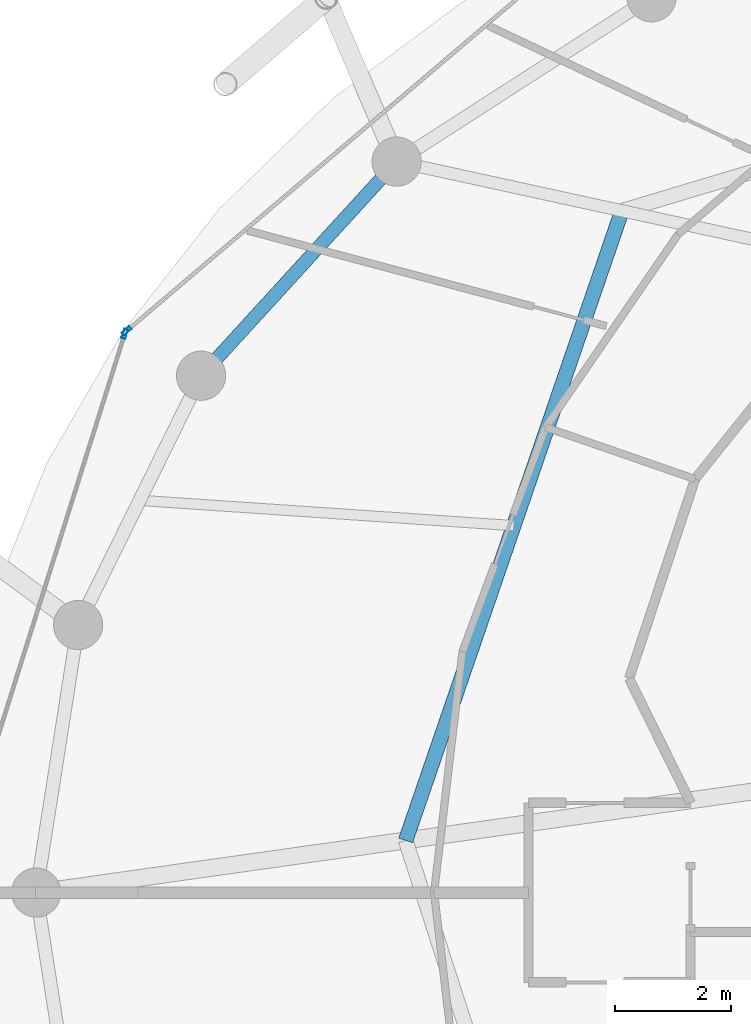
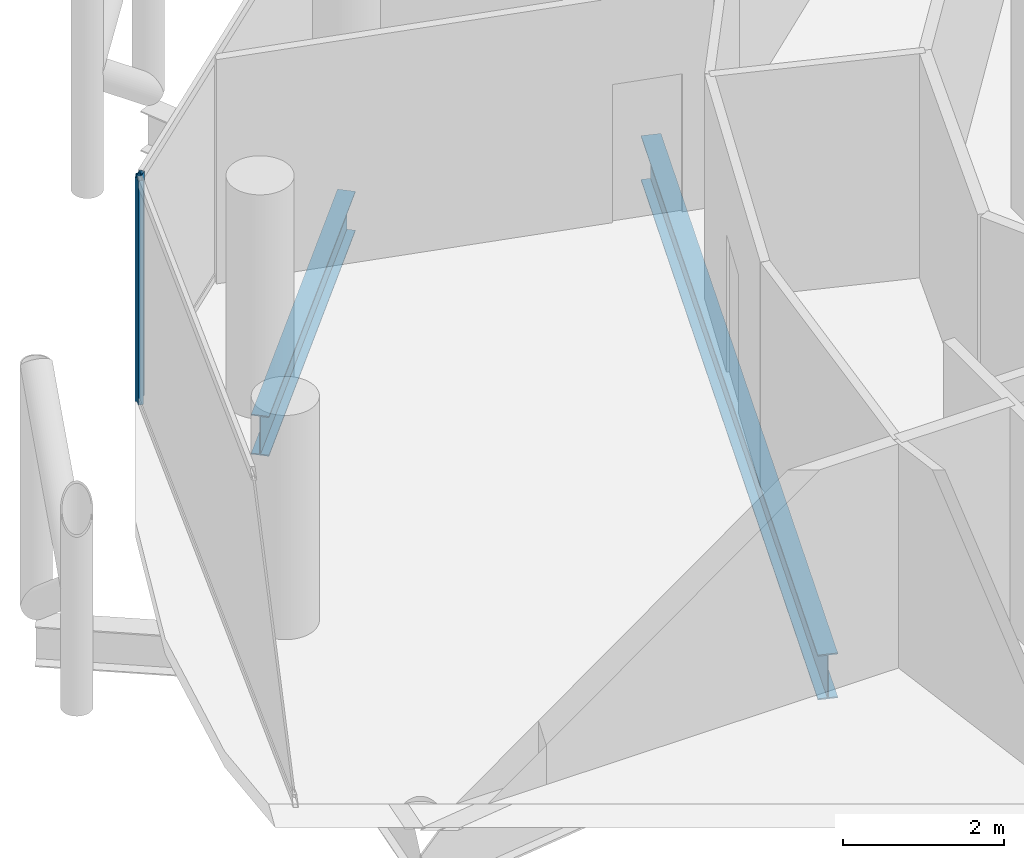
# One storey, part 9 of 27: 2 beams, 2 members, 2 elements without a shape of their own.
"""IFC4 building model written with IfcOpenShell, lengths in metres."""

from ifc_helpers import new_model, si_unit, direction, frame, origin, origin_2d, place, context, subcontext, project, spatial, hollow_rectangle, i_section, extrude, material, layer, layer_set, material_profile, profile_set, type_object, element, aggregate, save


model = new_model("IFC4")

# Units and contexts
model_context = context("Model", 3, precision=1e-05, world=origin(), true_north=direction((0.0, 1.0)))
body_context = subcontext(model_context, "Body", "Model", "MODEL_VIEW")
ifc_project = project(units=[si_unit("LENGTHUNIT", "METRE"), si_unit("AREAUNIT", "SQUARE_METRE"), si_unit("VOLUMEUNIT", "CUBIC_METRE"), si_unit("PLANEANGLEUNIT", "RADIAN"), si_unit("MASSUNIT", "GRAM", prefix="KILO")], contexts=[model_context])

# Site, building, storey
site_placement = place(None, origin())
site = spatial("IfcSite", under=ifc_project, at=site_placement, CompositionType="ELEMENT")
building_placement = place(site_placement, origin())
building = spatial("IfcBuilding", under=site, at=building_placement, Name="Nuhasar Tower", CompositionType="ELEMENT")
storey_placement = place(building_placement, frame((0.0, 0.0, 219.10009765625)))
storey = spatial("IfcBuildingStorey", under=building, at=storey_placement, Name="L53", CompositionType="ELEMENT", Elevation=219.10009765625)

# Beams
ifc_material_1 = material(Name="Steel S355", Category="steel")
ifc_material_profile_1 = material_profile(ifc_material_1, i_section(OverallWidth=0.25390625, OverallDepth=0.68408203125, WebThickness=0.012451171875, FlangeThickness=0.018798828125, at=origin_2d()), Name="W27X94")
ifc_profile_set_1 = profile_set([ifc_material_profile_1], Name="Steel S355")
beam_type_1 = type_object("IfcBeamType", Name="BM-INRING-W27X94", PredefinedType="BEAM", material=ifc_profile_set_1)
beam_1_placement = place(storey_placement, frame((27.864013671875, 38.572998046875, -0.58203125), z_axis=(-0.324809117642, -0.945779592239, 0.0), x_axis=(0.945779592239, -0.324809117642, 0.0)))
element("IfcBeam", 1, at=beam_1_placement, inside=storey, type_object=beam_type_1, Name="L53 Inner Header Beam 07", PredefinedType="BEAM", context=body_context, shape_type="SweptSolid", body=[
    extrude(i_section(OverallWidth=0.25390625, OverallDepth=0.68408203125, WebThickness=0.012451171875, FlangeThickness=0.018798828125, at=origin_2d()), origin(), (0.0, 0.0, 1.0), 11.496337890625),
])
ifc_material_profile_2 = material_profile(ifc_material_1, i_section(OverallWidth=0.22802734375, OverallDepth=0.60791015625, WebThickness=0.01123046875, FlangeThickness=0.017333984375, at=origin_2d()), Name="W24X76")
ifc_profile_set_2 = profile_set([ifc_material_profile_2], Name="Steel S355")
beam_type_2 = type_object("IfcBeamType", Name="BM-RING-W24X76", PredefinedType="SPANDREL", material=ifc_profile_set_2)
beam_2_placement = place(storey_placement, frame((23.97412109375, 39.422119140625, -0.544189453125), z_axis=(-0.674449692975, -0.738320805373, 0.0), x_axis=(0.738320805373, -0.674449692975, 0.0)))
element("IfcBeam", 2, at=beam_2_placement, inside=storey, type_object=beam_type_2, Name="L53 Perimeter Ring Spandrel 10", PredefinedType="SPANDREL", context=body_context, shape_type="SweptSolid", body=[
    extrude(i_section(OverallWidth=0.22802734375, OverallDepth=0.60791015625, WebThickness=0.01123046875, FlangeThickness=0.017333984375, at=origin_2d()), origin(), (0.0, 0.0, 1.0), 5.00732421875),
])

# Curtain wall, member
ifc_material_2 = material(Name="Aluminium 6063-T6", Category="aluminium")
ifc_layer = layer(ifc_material_2, 0.18994140625)
ifc_layer_set = layer_set([ifc_layer], Name="Aluminium 6063-T6")
curtain_wall_type = type_object("IfcCurtainWallType", Name="CW-Z3-RES", PredefinedType="NOTDEFINED", material=ifc_layer_set)
curtain_wall_1_placement = place(storey_placement, origin())
curtain_wall_1 = element("IfcCurtainWall", 3, at=curtain_wall_1_placement, inside=storey, type_object=curtain_wall_type, Name="L53 Unitised Curtain Wall 05", PredefinedType="NOTDEFINED")
ifc_material_profile_3 = material_profile(ifc_material_2, hollow_rectangle(XDim=0.06494140625, YDim=0.169921875, WallThickness=0.0048828125, at=origin_2d()), Name="CWM-4")
ifc_profile_set_3 = profile_set([ifc_material_profile_3], Name="Aluminium 6063-T6")
member_type = type_object("IfcMemberType", Name="CW-MUL-S4", PredefinedType="MULLION", material=ifc_profile_set_3)
member_1_placement = place(storey_placement, frame((19.313720703125, 36.5009765625, 0.0), z_axis=(0.0, 0.0, 1.0), x_axis=(0.64789521578, -0.761729472562, 0.0)))
member_1 = element("IfcMember", 4, at=member_1_placement, type_object=member_type, Name="CW-Z3 mullion 2", PredefinedType="MULLION", context=body_context, shape_type="SweptSolid", body=[
    extrude(hollow_rectangle(XDim=0.06494140625, YDim=0.169921875, WallThickness=0.0048828125, at=origin_2d()), origin(), (0.0, 0.0, 1.0), 3.409912109375),
])
aggregate(curtain_wall_1, [member_1])

curtain_wall_2_placement = place(storey_placement, origin())
curtain_wall_2 = element("IfcCurtainWall", 5, at=curtain_wall_2_placement, inside=storey, type_object=curtain_wall_type, Name="L53 Unitised Curtain Wall 06", PredefinedType="NOTDEFINED")
member_2_placement = place(storey_placement, frame((19.279296875, 36.448974609375, 0.0), z_axis=(0.0, 0.0, 1.0), x_axis=(0.95380429279, -0.30042864553, 0.0)))
member_2 = element("IfcMember", 6, at=member_2_placement, type_object=member_type, Name="CW-Z3 mullion 1", PredefinedType="MULLION", context=body_context, shape_type="SweptSolid", body=[
    extrude(hollow_rectangle(XDim=0.06494140625, YDim=0.169921875, WallThickness=0.0048828125, at=origin_2d()), origin(), (0.0, 0.0, 1.0), 3.409912109375),
])
aggregate(curtain_wall_2, [member_2])

save(model, "model.ifc")
